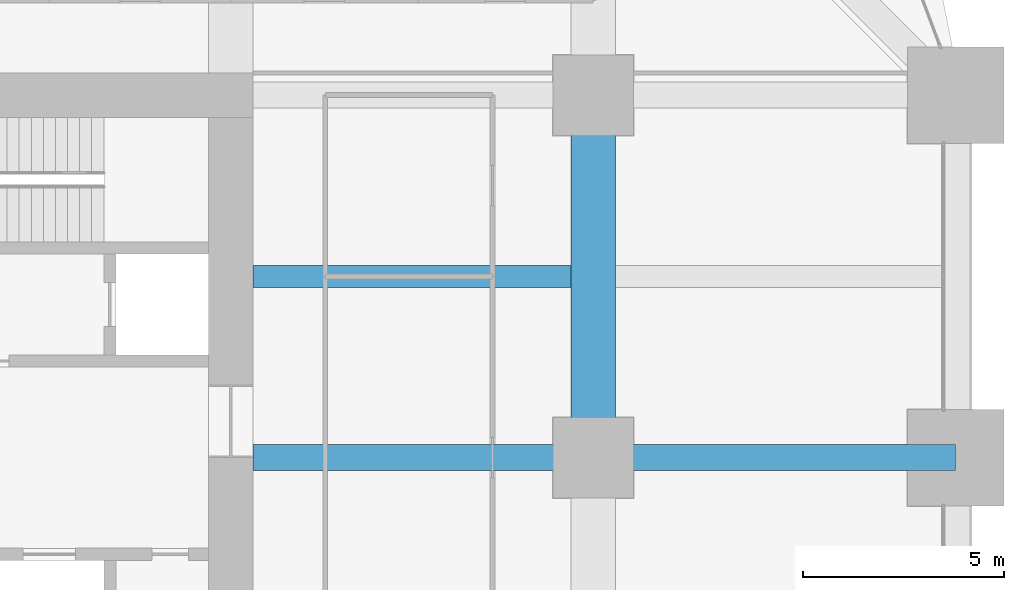
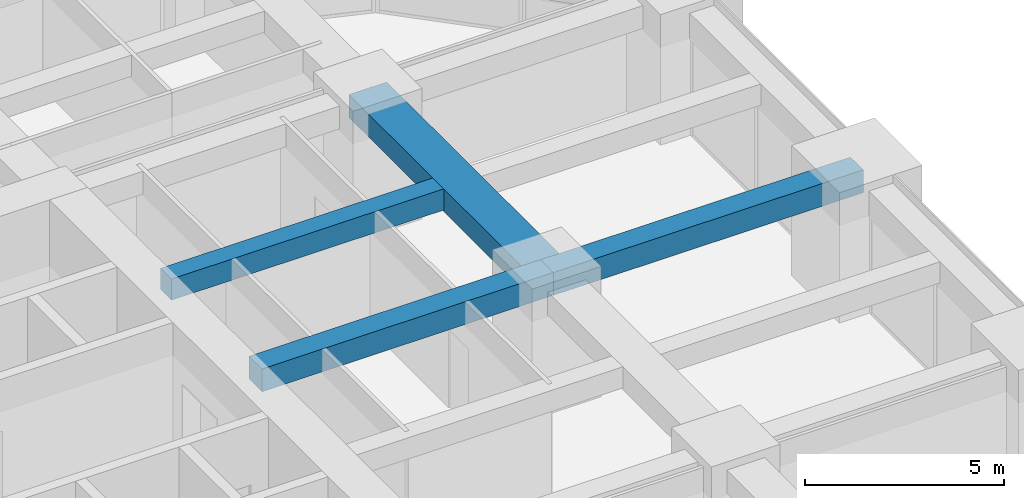
# One storey, part 22 of 40: 4 beams.
"""IFC4 building model written with IfcOpenShell, lengths in metres."""

from ifc_helpers import new_model, si_unit, direction, frame, origin, origin_2d, place, context, subcontext, project, spatial, rectangle, extrude, material, material_profile, profile_set, type_object, element, save


model = new_model("IFC4")

# Units and contexts
model_context = context("Model", 3, precision=1e-05, world=origin(), true_north=direction((0.0, 1.0)))
body_context = subcontext(model_context, "Body", "Model", "MODEL_VIEW")
ifc_project = project(units=[si_unit("LENGTHUNIT", "METRE"), si_unit("AREAUNIT", "SQUARE_METRE"), si_unit("VOLUMEUNIT", "CUBIC_METRE"), si_unit("PLANEANGLEUNIT", "RADIAN"), si_unit("MASSUNIT", "GRAM", prefix="KILO")], contexts=[model_context])

# Site, building, storey
site_placement = place(None, origin())
site = spatial("IfcSite", under=ifc_project, at=site_placement, CompositionType="ELEMENT")
building_placement = place(site_placement, origin())
building = spatial("IfcBuilding", under=site, at=building_placement, Name="Zorevar Civic Tower", CompositionType="ELEMENT")
storey_placement = place(building_placement, frame((0.0, 0.0, 93.0)))
storey = spatial("IfcBuildingStorey", under=building, at=storey_placement, Name="L22", CompositionType="ELEMENT", Elevation=93.0)

# Beams
ifc_material_1 = material(Name="Concrete C50/60", Category="concrete")
ifc_material_profile_1 = material_profile(ifc_material_1, rectangle(XDim=1.10009765625, YDim=0.699951171875, at=origin_2d()), Name="RC 1100x700")
ifc_profile_set_1 = profile_set([ifc_material_profile_1], Name="Concrete C50/60")
beam_type_1 = type_object("IfcBeamType", Name="Beam RC 1100x700", PredefinedType="BEAM", material=ifc_profile_set_1)
beam_1_placement = place(storey_placement, frame((54.0, 27.0, 3.39990234375), z_axis=(0.0, 1.0, 0.0), x_axis=(-1.0, 0.0, 0.0)))
element("IfcBeam", 1, at=beam_1_placement, inside=storey, type_object=beam_type_1, Name="Girder L23", PredefinedType="BEAM", context=body_context, shape_type="SweptSolid", body=[
    extrude(rectangle(XDim=1.10009765625, YDim=0.699951171875, at=origin_2d()), origin(), (0.0, 0.0, 1.0), 9.0),
])
ifc_material_2 = material(Name="Concrete C50/60", Category="concrete")
ifc_material_profile_2 = material_profile(ifc_material_2, rectangle(XDim=0.550048828125, YDim=0.64990234375, at=origin_2d()), Name="RC 550x650")
ifc_profile_set_2 = profile_set([ifc_material_profile_2], Name="Concrete C50/60")
beam_type_2 = type_object("IfcBeamType", Name="Beam RC 550x650", PredefinedType="BEAM", material=ifc_profile_set_2)
beam_2_placement = place(storey_placement, frame((45.550048828125, 31.5, 3.425048828125), z_axis=(1.0, 0.0, 0.0), x_axis=(0.0, 1.0, 0.0)))
element("IfcBeam", 2, at=beam_2_placement, inside=storey, type_object=beam_type_2, Name="Secondary beam L23", PredefinedType="BEAM", context=body_context, shape_type="SweptSolid", body=[
    extrude(rectangle(XDim=0.550048828125, YDim=0.64990234375, at=origin_2d()), origin(), (0.0, 0.0, 1.0), 7.89990234375),
])
ifc_material_3 = material(Name="Concrete C50/60", Category="concrete")
ifc_material_profile_3 = material_profile(ifc_material_3, rectangle(XDim=0.64990234375, YDim=0.699951171875, at=origin_2d()), Name="RC 650x700")
ifc_profile_set_3 = profile_set([ifc_material_profile_3], Name="Concrete C50/60")
beam_type_3 = type_object("IfcBeamType", Name="Beam RC 650x700", PredefinedType="BEAM", material=ifc_profile_set_3)
beam_3_placement = place(storey_placement, frame((45.550048828125, 27.0, 3.39990234375), z_axis=(1.0, 0.0, 0.0), x_axis=(0.0, 1.0, 0.0)))
element("IfcBeam", 3, at=beam_3_placement, inside=storey, type_object=beam_type_3, Name="Girder L23", PredefinedType="BEAM", context=body_context, shape_type="SweptSolid", body=[
    extrude(rectangle(XDim=0.64990234375, YDim=0.699951171875, at=origin_2d()), origin(), (0.0, 0.0, 1.0), 8.449951171875),
])
beam_4_placement = place(storey_placement, frame((54.0, 27.0, 3.39990234375), z_axis=(1.0, 0.0, 0.0), x_axis=(0.0, 1.0, 0.0)))
element("IfcBeam", 4, at=beam_4_placement, inside=storey, type_object=beam_type_3, Name="Girder L23", PredefinedType="BEAM", context=body_context, shape_type="SweptSolid", body=[
    extrude(rectangle(XDim=0.64990234375, YDim=0.699951171875, at=origin_2d()), origin(), (0.0, 0.0, 1.0), 9.0),
])

save(model, "model.ifc")
